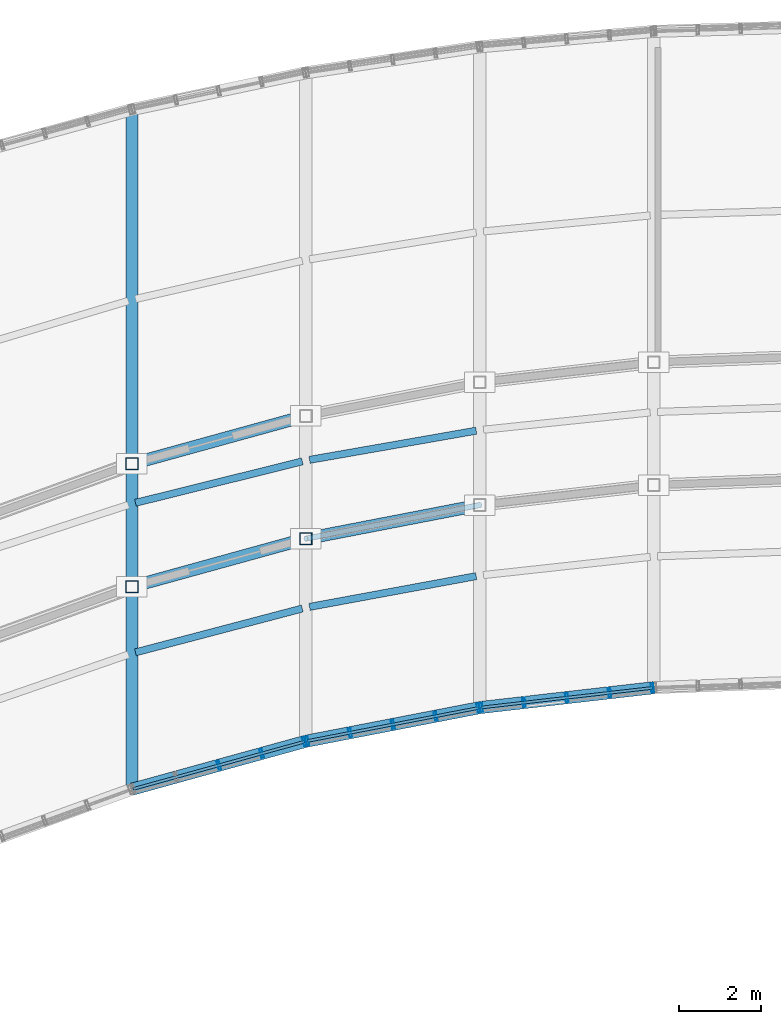
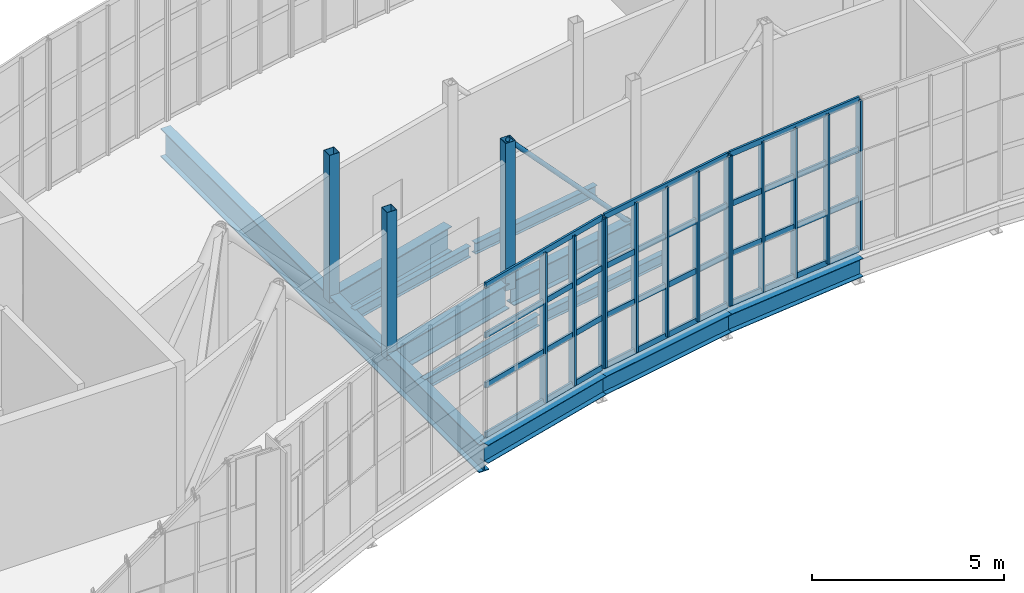
# One storey, part 20 of 46: 29 members, 11 beams, 3 elements without a shape of their own.
"""IFC4 building model written with IfcOpenShell, lengths in metres."""

from ifc_helpers import new_model, si_unit, direction, frame, origin, origin_2d, place, context, subcontext, project, spatial, hollow_rectangle, hollow_circle, i_section, extrude, material, material_profile, profile_set, type_object, element, aggregate, save


model = new_model("IFC4")

# Units and contexts
model_context = context("Model", 3, precision=1e-05, world=origin(), true_north=direction((0.0, 1.0)))
body_context = subcontext(model_context, "Body", "Model", "MODEL_VIEW")
ifc_project = project(units=[si_unit("LENGTHUNIT", "METRE"), si_unit("AREAUNIT", "SQUARE_METRE"), si_unit("VOLUMEUNIT", "CUBIC_METRE"), si_unit("PLANEANGLEUNIT", "RADIAN"), si_unit("MASSUNIT", "GRAM", prefix="KILO")], contexts=[model_context])

# Site, building, storey
site_placement = place(None, origin())
site = spatial("IfcSite", under=ifc_project, at=site_placement, CompositionType="ELEMENT")
building_placement = place(site_placement, origin())
building = spatial("IfcBuilding", under=site, at=building_placement, Name="Solvikara Media Centre", CompositionType="ELEMENT")
storey_placement = place(building_placement, frame((0.0, 0.0, 24.60009765625)))
storey = spatial("IfcBuildingStorey", under=building, at=storey_placement, Name="L05", CompositionType="ELEMENT", Elevation=24.60009765625)

# Beams
ifc_material_1 = material(Name="Steel S355JR", Category="steel")
ifc_material_profile_1 = material_profile(ifc_material_1, i_section(OverallWidth=0.300048828125, OverallDepth=0.89990234375, WebThickness=0.01611328125, FlangeThickness=0.028076171875, at=origin_2d()), Name="WF 900x300x16x28")
ifc_profile_set_1 = profile_set([ifc_material_profile_1], Name="Steel S355JR")
beam_type_1 = type_object("IfcBeamType", Name="BM-15", PredefinedType="BEAM", material=ifc_profile_set_1)
beam_1_placement = place(storey_placement, frame((85.0, 22.823974609375, -0.672119140625), z_axis=(0.0, 1.0, 0.0), x_axis=(-1.0, 0.0, 0.0)))
element("IfcBeam", 1, at=beam_1_placement, inside=storey, type_object=beam_type_1, Name="BG-L05-NS-02", PredefinedType="BEAM", context=body_context, shape_type="SweptSolid", body=[
    extrude(i_section(OverallWidth=0.300048828125, OverallDepth=0.89990234375, WebThickness=0.01611328125, FlangeThickness=0.028076171875, at=origin_2d()), origin(), (0.0, 0.0, 1.0), 16.60693359375),
])
ifc_material_profile_2 = material_profile(ifc_material_1, i_section(OverallWidth=0.300048828125, OverallDepth=0.800048828125, WebThickness=0.013916015625, FlangeThickness=0.02587890625, at=origin_2d()), Name="WF 800x300x14x26")
ifc_profile_set_2 = profile_set([ifc_material_profile_2], Name="Steel S355JR")
beam_type_2 = type_object("IfcBeamType", Name="BM-16", PredefinedType="BEAM", material=ifc_profile_set_2)
for number, where, z_axis, x_axis, name in (
    (2, (85.0869140625, 27.798095703125, -0.6220703125), (0.964019154447, 0.265832785522, 0.0), (-0.265832785522, 0.964019154447, 0.0), "B-L05-SPNS-02"),
    (3, (85.0869140625, 30.798095703125, -0.6220703125), (0.964019154447, 0.265832785522, 0.0), (-0.265832785522, 0.964019154447, 0.0), "B-L05-SPNN-02"),
):
    element("IfcBeam", number, at=place(storey_placement, frame(where, z_axis=z_axis, x_axis=x_axis)), inside=storey, type_object=beam_type_2, Name=name, PredefinedType="BEAM", context=body_context, shape_type="SweptSolid", body=[
        extrude(i_section(OverallWidth=0.300048828125, OverallDepth=0.800048828125, WebThickness=0.013916015625, FlangeThickness=0.02587890625, at=origin_2d()), origin(), (0.0, 0.0, 1.0), 4.228271484375),
    ])
beam_2_placement = place(storey_placement, frame((89.337890625, 28.962890625, -0.6220703125), z_axis=(0.981801087979, 0.189912147171, 0.0), x_axis=(-0.189912147171, 0.981801087979, 0.0)))
element("IfcBeam", 4, at=beam_2_placement, inside=storey, type_object=beam_type_2, Name="B-L05-SPNS-03", PredefinedType="BEAM", context=body_context, shape_type="SweptSolid", body=[
    extrude(i_section(OverallWidth=0.300048828125, OverallDepth=0.800048828125, WebThickness=0.013916015625, FlangeThickness=0.02587890625, at=origin_2d()), origin(), (0.0, 0.0, 1.0), 4.149658203125),
])
ifc_material_profile_3 = material_profile(ifc_material_1, i_section(OverallWidth=0.175048828125, OverallDepth=0.35009765625, WebThickness=0.007080078125, FlangeThickness=0.010986328125, at=origin_2d()), Name="WF 350x175x7x11")
ifc_profile_set_3 = profile_set([ifc_material_profile_3], Name="Steel S355JR")
beam_type_3 = type_object("IfcBeamType", Name="BM-22", PredefinedType="JOIST", material=ifc_profile_set_3)
beam_3_placement = place(storey_placement, frame((85.0869140625, 26.16796875, -0.397216796875), z_axis=(0.967112792727, 0.254347884096, 0.0), x_axis=(-0.254347884096, 0.967112792727, 0.0)))
element("IfcBeam", 5, at=beam_3_placement, inside=storey, type_object=beam_type_3, Name="BJ-L05-02-20", PredefinedType="JOIST", context=body_context, shape_type="SweptSolid", body=[
    extrude(i_section(OverallWidth=0.175048828125, OverallDepth=0.35009765625, WebThickness=0.007080078125, FlangeThickness=0.010986328125, at=origin_2d()), origin(), (0.0, 0.0, 1.0), 4.21484375),
])
beam_4_placement = place(storey_placement, frame((85.0869140625, 29.821044921875, -0.397216796875), z_axis=(0.970483457867, 0.241167696855, 0.0), x_axis=(-0.241167696855, 0.970483457867, 0.0)))
element("IfcBeam", 6, at=beam_4_placement, inside=storey, type_object=beam_type_3, Name="BJ-L05-02-42", PredefinedType="JOIST", context=body_context, shape_type="SweptSolid", body=[
    extrude(i_section(OverallWidth=0.175048828125, OverallDepth=0.35009765625, WebThickness=0.007080078125, FlangeThickness=0.010986328125, at=origin_2d()), origin(), (0.0, 0.0, 1.0), 4.2001953125),
])
beam_5_placement = place(storey_placement, frame((89.339111328125, 27.279052734375, -0.397216796875), z_axis=(0.983371814175, 0.181603620797, 0.0), x_axis=(-0.181603620797, 0.983371814175, 0.0)))
element("IfcBeam", 7, at=beam_5_placement, inside=storey, type_object=beam_type_3, Name="BJ-L05-03-20", PredefinedType="JOIST", context=body_context, shape_type="SweptSolid", body=[
    extrude(i_section(OverallWidth=0.175048828125, OverallDepth=0.35009765625, WebThickness=0.007080078125, FlangeThickness=0.010986328125, at=origin_2d()), origin(), (0.0, 0.0, 1.0), 4.140625),
])
beam_6_placement = place(storey_placement, frame((89.339111328125, 30.87109375, -0.397216796875), z_axis=(0.985016925608, 0.172457694134, 0.0), x_axis=(-0.172457694134, 0.985016925608, 0.0)))
element("IfcBeam", 8, at=beam_6_placement, inside=storey, type_object=beam_type_3, Name="BJ-L05-03-42", PredefinedType="JOIST", context=body_context, shape_type="SweptSolid", body=[
    extrude(i_section(OverallWidth=0.175048828125, OverallDepth=0.35009765625, WebThickness=0.007080078125, FlangeThickness=0.010986328125, at=origin_2d()), origin(), (0.0, 0.0, 1.0), 4.1337890625),
])
ifc_material_profile_4 = material_profile(ifc_material_1, i_section(OverallWidth=0.300048828125, OverallDepth=0.58203125, WebThickness=0.011962890625, FlangeThickness=0.01708984375, at=origin_2d()), Name="WF 582x300x12x17")
ifc_profile_set_4 = profile_set([ifc_material_profile_4], Name="Steel S355JR")
beam_type_4 = type_object("IfcBeamType", Name="BM-31", PredefinedType="SPANDREL", material=ifc_profile_set_4)
beam_7_placement = place(storey_placement, frame((85.0, 22.823974609375, -0.51318359375), z_axis=(0.964009749544, 0.265866889221, 0.0), x_axis=(-0.265866889221, 0.964009749544, 0.0)))
element("IfcBeam", 9, at=beam_7_placement, inside=storey, type_object=beam_type_4, Name="B-L05-SARC-02", PredefinedType="SPANDREL", context=body_context, shape_type="SweptSolid", body=[
    extrude(i_section(OverallWidth=0.300048828125, OverallDepth=0.58203125, WebThickness=0.011962890625, FlangeThickness=0.01708984375, at=origin_2d()), origin(), (0.0, 0.0, 1.0), 4.40869140625),
])
beam_8_placement = place(storey_placement, frame((89.25, 23.99609375, -0.51318359375), z_axis=(0.981803941213, 0.189897396029, 0.0), x_axis=(-0.189897396029, 0.981803941213, 0.0)))
element("IfcBeam", 10, at=beam_8_placement, inside=storey, type_object=beam_type_4, Name="B-L05-SARC-03", PredefinedType="SPANDREL", context=body_context, shape_type="SweptSolid", body=[
    extrude(i_section(OverallWidth=0.300048828125, OverallDepth=0.58203125, WebThickness=0.011962890625, FlangeThickness=0.01708984375, at=origin_2d()), origin(), (0.0, 0.0, 1.0), 4.328857421875),
])
beam_9_placement = place(storey_placement, frame((93.5, 24.818115234375, -0.51318359375), z_axis=(0.993503575407, 0.113800903571, 0.0), x_axis=(-0.113800903571, 0.993503575407, 0.0)))
element("IfcBeam", 11, at=beam_9_placement, inside=storey, type_object=beam_type_4, Name="B-L05-SARC-04", PredefinedType="SPANDREL", context=body_context, shape_type="SweptSolid", body=[
    extrude(i_section(OverallWidth=0.300048828125, OverallDepth=0.58203125, WebThickness=0.011962890625, FlangeThickness=0.01708984375, at=origin_2d()), origin(), (0.0, 0.0, 1.0), 4.27783203125),
])

# Members
ifc_material_profile_5 = material_profile(ifc_material_1, hollow_circle(Radius=0.06982421875, WallThickness=0.00634765625, at=origin_2d()), Name="CHS 139.7x6.3")
ifc_profile_set_5 = profile_set([ifc_material_profile_5], Name="Steel S355JR")
member_type_1 = type_object("IfcMemberType", Name="MB-08", PredefinedType="BRACE", material=ifc_profile_set_5)
member_1_placement = place(storey_placement, frame((89.25, 28.946044921875, 4.25), z_axis=(0.665118374844, 0.128645080888, -0.735573239459), x_axis=(-0.189897396029, 0.981803941213, 0.0)))
element("IfcMember", 12, at=member_1_placement, inside=storey, type_object=member_type_1, Name="WTR-L05-S-DB03", PredefinedType="BRACE", context=body_context, shape_type="SweptSolid", body=[
    extrude(hollow_circle(Radius=0.06982421875, WallThickness=0.00634765625, at=origin_2d()), origin(), (0.0, 0.0, 1.0), 6.389892578125),
])
ifc_material_profile_6 = material_profile(ifc_material_1, hollow_rectangle(XDim=0.300048828125, YDim=0.300048828125, WallThickness=0.012451171875, at=origin_2d()), Name="RHS 300x300x12.5")
ifc_profile_set_6 = profile_set([ifc_material_profile_6], Name="Steel S355JR")
member_type_2 = type_object("IfcMemberType", Name="MB-11", PredefinedType="CHORD", material=ifc_profile_set_6)
for number, where, z_axis, x_axis, name in (
    (13, (85.0, 27.77392578125, -0.4501953125), (0.0, 0.0, 1.0), (1.0, 0.0, 0.0), "WTR-L05-S-V02"),
    (14, (89.25, 28.946044921875, -0.4501953125), (0.0, 0.0, 1.0), (1.0, 0.0, 0.0), "WTR-L05-S-V03"),
    (15, (85.0, 30.77392578125, -0.4501953125), (0.0, 0.0, 1.0), (1.0, 0.0, 0.0), "WTR-L05-N-V02"),
):
    element("IfcMember", number, at=place(storey_placement, frame(where, z_axis=z_axis, x_axis=x_axis)), inside=storey, type_object=member_type_2, Name=name, PredefinedType="CHORD", context=body_context, shape_type="SweptSolid", body=[
        extrude(hollow_rectangle(XDim=0.300048828125, YDim=0.300048828125, WallThickness=0.012451171875, at=origin_2d()), origin(), (0.0, 0.0, 1.0), 4.7001953125),
    ])

# Curtain wall, members
ifc_material_2 = material(Name="Anodised aluminium EN AW-6063", Category="aluminium")
curtain_wall_type = type_object("IfcCurtainWallType", Name="CW-01", PredefinedType="NOTDEFINED", material=ifc_material_2)
curtain_wall_1_placement = place(storey_placement, origin())
curtain_wall_1 = element("IfcCurtainWall", 16, at=curtain_wall_1_placement, inside=storey, type_object=curtain_wall_type, Name="CW-L05-SARC-02", PredefinedType="NOTDEFINED")
ifc_material_profile_7 = material_profile(ifc_material_2, hollow_rectangle(XDim=0.06494140625, YDim=0.219970703125, WallThickness=0.00390625, at=origin_2d()), Name="ALU-M 65x220x4")
ifc_profile_set_7 = profile_set([ifc_material_profile_7], Name="Anodised aluminium EN AW-6063")
member_type_3 = type_object("IfcMemberType", Name="MF-01", PredefinedType="MULLION", material=ifc_profile_set_7)
member_2_placement = place(storey_placement, frame((87.125, 23.409912109375, 0.02001953125), z_axis=(0.0, 0.0, 1.0), x_axis=(0.96397015682, 0.26601040724, 0.0)))
member_2 = element("IfcMember", 17, at=member_2_placement, type_object=member_type_3, Name="CW-L05-SARC-02-M02", PredefinedType="MULLION", context=body_context, shape_type="SweptSolid", body=[
    extrude(hollow_rectangle(XDim=0.06494140625, YDim=0.219970703125, WallThickness=0.00390625, at=origin_2d()), origin(), (0.0, 0.0, 1.0), 4.759765625),
])
member_3_placement = place(storey_placement, frame((88.1708984375, 23.698974609375, 0.02001953125), z_axis=(0.0, 0.0, 1.0), x_axis=(0.96397015682, 0.26601040724, 0.0)))
member_3 = element("IfcMember", 18, at=member_3_placement, type_object=member_type_3, Name="CW-L05-SARC-02-M03", PredefinedType="MULLION", context=body_context, shape_type="SweptSolid", body=[
    extrude(hollow_rectangle(XDim=0.06494140625, YDim=0.219970703125, WallThickness=0.00390625, at=origin_2d()), origin(), (0.0, 0.0, 1.0), 4.759765625),
])
member_4_placement = place(storey_placement, frame((89.216064453125, 23.987060546875, 0.02001953125), z_axis=(0.0, 0.0, 1.0), x_axis=(0.96397015682, 0.26601040724, 0.0)))
member_4 = element("IfcMember", 19, at=member_4_placement, type_object=member_type_3, Name="CW-L05-SARC-02-M04", PredefinedType="MULLION", context=body_context, shape_type="SweptSolid", body=[
    extrude(hollow_rectangle(XDim=0.06494140625, YDim=0.219970703125, WallThickness=0.00390625, at=origin_2d()), origin(), (0.0, 0.0, 1.0), 4.759765625),
])

curtain_wall_2_placement = place(storey_placement, origin())
curtain_wall_2 = element("IfcCurtainWall", 20, at=curtain_wall_2_placement, inside=storey, type_object=curtain_wall_type, Name="CW-L05-SARC-03", PredefinedType="NOTDEFINED")
member_5_placement = place(storey_placement, frame((89.283935546875, 24.0029296875, 0.02001953125), z_axis=(0.0, 0.0, 1.0), x_axis=(0.981843017659, 0.189695252114, 0.0)))
member_5 = element("IfcMember", 21, at=member_5_placement, type_object=member_type_3, Name="CW-L05-SARC-03-M00", PredefinedType="MULLION", context=body_context, shape_type="SweptSolid", body=[
    extrude(hollow_rectangle(XDim=0.06494140625, YDim=0.219970703125, WallThickness=0.00390625, at=origin_2d()), origin(), (0.0, 0.0, 1.0), 4.759765625),
])
member_6_placement = place(storey_placement, frame((90.330078125, 24.205078125, 0.02001953125), z_axis=(0.0, 0.0, 1.0), x_axis=(0.981843017659, 0.189695252114, 0.0)))
member_6 = element("IfcMember", 22, at=member_6_placement, type_object=member_type_3, Name="CW-L05-SARC-03-M01", PredefinedType="MULLION", context=body_context, shape_type="SweptSolid", body=[
    extrude(hollow_rectangle(XDim=0.06494140625, YDim=0.219970703125, WallThickness=0.00390625, at=origin_2d()), origin(), (0.0, 0.0, 1.0), 4.759765625),
])
member_7_placement = place(storey_placement, frame((91.375, 24.406982421875, 0.02001953125), z_axis=(0.0, 0.0, 1.0), x_axis=(0.981843017659, 0.189695252114, 0.0)))
member_7 = element("IfcMember", 23, at=member_7_placement, type_object=member_type_3, Name="CW-L05-SARC-03-M02", PredefinedType="MULLION", context=body_context, shape_type="SweptSolid", body=[
    extrude(hollow_rectangle(XDim=0.06494140625, YDim=0.219970703125, WallThickness=0.00390625, at=origin_2d()), origin(), (0.0, 0.0, 1.0), 4.759765625),
])
member_8_placement = place(storey_placement, frame((92.4208984375, 24.60888671875, 0.02001953125), z_axis=(0.0, 0.0, 1.0), x_axis=(0.981843017659, 0.189695252114, 0.0)))
member_8 = element("IfcMember", 24, at=member_8_placement, type_object=member_type_3, Name="CW-L05-SARC-03-M03", PredefinedType="MULLION", context=body_context, shape_type="SweptSolid", body=[
    extrude(hollow_rectangle(XDim=0.06494140625, YDim=0.219970703125, WallThickness=0.00390625, at=origin_2d()), origin(), (0.0, 0.0, 1.0), 4.759765625),
])
member_9_placement = place(storey_placement, frame((93.466064453125, 24.81103515625, 0.02001953125), z_axis=(0.0, 0.0, 1.0), x_axis=(0.981843017659, 0.189695252114, 0.0)))
member_9 = element("IfcMember", 25, at=member_9_placement, type_object=member_type_3, Name="CW-L05-SARC-03-M04", PredefinedType="MULLION", context=body_context, shape_type="SweptSolid", body=[
    extrude(hollow_rectangle(XDim=0.06494140625, YDim=0.219970703125, WallThickness=0.00390625, at=origin_2d()), origin(), (0.0, 0.0, 1.0), 4.759765625),
])

curtain_wall_3_placement = place(storey_placement, origin())
curtain_wall_3 = element("IfcCurtainWall", 26, at=curtain_wall_3_placement, inside=storey, type_object=curtain_wall_type, Name="CW-L05-SARC-04", PredefinedType="NOTDEFINED")
member_10_placement = place(storey_placement, frame((93.534912109375, 24.822021484375, 0.02001953125), z_axis=(0.0, 0.0, 1.0), x_axis=(0.993498545066, 0.113844810828, 0.0)))
member_10 = element("IfcMember", 27, at=member_10_placement, type_object=member_type_3, Name="CW-L05-SARC-04-M00", PredefinedType="MULLION", context=body_context, shape_type="SweptSolid", body=[
    extrude(hollow_rectangle(XDim=0.06494140625, YDim=0.219970703125, WallThickness=0.00390625, at=origin_2d()), origin(), (0.0, 0.0, 1.0), 4.759765625),
])
member_11_placement = place(storey_placement, frame((94.580078125, 24.94189453125, 0.02001953125), z_axis=(0.0, 0.0, 1.0), x_axis=(0.993498545066, 0.113844810828, 0.0)))
member_11 = element("IfcMember", 28, at=member_11_placement, type_object=member_type_3, Name="CW-L05-SARC-04-M01", PredefinedType="MULLION", context=body_context, shape_type="SweptSolid", body=[
    extrude(hollow_rectangle(XDim=0.06494140625, YDim=0.219970703125, WallThickness=0.00390625, at=origin_2d()), origin(), (0.0, 0.0, 1.0), 4.759765625),
])
member_12_placement = place(storey_placement, frame((95.625, 25.06201171875, 0.02001953125), z_axis=(0.0, 0.0, 1.0), x_axis=(0.993498545066, 0.113844810828, 0.0)))
member_12 = element("IfcMember", 29, at=member_12_placement, type_object=member_type_3, Name="CW-L05-SARC-04-M02", PredefinedType="MULLION", context=body_context, shape_type="SweptSolid", body=[
    extrude(hollow_rectangle(XDim=0.06494140625, YDim=0.219970703125, WallThickness=0.00390625, at=origin_2d()), origin(), (0.0, 0.0, 1.0), 4.759765625),
])
member_13_placement = place(storey_placement, frame((96.669921875, 25.180908203125, 0.02001953125), z_axis=(0.0, 0.0, 1.0), x_axis=(0.993498545066, 0.113844810828, 0.0)))
member_13 = element("IfcMember", 30, at=member_13_placement, type_object=member_type_3, Name="CW-L05-SARC-04-M03", PredefinedType="MULLION", context=body_context, shape_type="SweptSolid", body=[
    extrude(hollow_rectangle(XDim=0.06494140625, YDim=0.219970703125, WallThickness=0.00390625, at=origin_2d()), origin(), (0.0, 0.0, 1.0), 4.759765625),
])
member_14_placement = place(storey_placement, frame((97.715087890625, 25.301025390625, 0.02001953125), z_axis=(0.0, 0.0, 1.0), x_axis=(0.993498545066, 0.113844810828, 0.0)))
member_14 = element("IfcMember", 31, at=member_14_placement, type_object=member_type_3, Name="CW-L05-SARC-04-M04", PredefinedType="MULLION", context=body_context, shape_type="SweptSolid", body=[
    extrude(hollow_rectangle(XDim=0.06494140625, YDim=0.219970703125, WallThickness=0.00390625, at=origin_2d()), origin(), (0.0, 0.0, 1.0), 4.759765625),
])

# Member
ifc_material_profile_8 = material_profile(ifc_material_2, hollow_rectangle(XDim=0.06494140625, YDim=0.179931640625, WallThickness=0.00341796875, at=origin_2d()), Name="ALU-T 65x180x3.5")
ifc_profile_set_8 = profile_set([ifc_material_profile_8], Name="Anodised aluminium EN AW-6063")
member_type_4 = type_object("IfcMemberType", Name="MF-07", PredefinedType="USERDEFINED", material=ifc_profile_set_8)
member_15_placement = place(storey_placement, frame((85.033935546875, 22.8330078125, 0.02001953125), z_axis=(0.963971224803, 0.266006537049, 0.0), x_axis=(-0.266006537049, 0.963971224803, 0.0)))
member_15 = element("IfcMember", 32, at=member_15_placement, type_object=member_type_4, Name="CW-L05-SARC-02-T00", ObjectType="TRANSOM", PredefinedType="USERDEFINED", context=body_context, shape_type="SweptSolid", body=[
    extrude(hollow_rectangle(XDim=0.06494140625, YDim=0.179931640625, WallThickness=0.00341796875, at=origin_2d()), origin(), (0.0, 0.0, 1.0), 4.33837890625),
])

member_16_placement = place(storey_placement, frame((85.033935546875, 22.8330078125, 1.60693359375), z_axis=(0.963971224803, 0.266006537049, 0.0), x_axis=(-0.266006537049, 0.963971224803, 0.0)))
member_16 = element("IfcMember", 33, at=member_16_placement, type_object=member_type_4, Name="CW-L05-SARC-02-T01", ObjectType="TRANSOM", PredefinedType="USERDEFINED", context=body_context, shape_type="SweptSolid", body=[
    extrude(hollow_rectangle(XDim=0.06494140625, YDim=0.179931640625, WallThickness=0.00341796875, at=origin_2d()), origin(), (0.0, 0.0, 1.0), 4.33837890625),
])

member_17_placement = place(storey_placement, frame((85.033935546875, 22.8330078125, 3.19287109375), z_axis=(0.963971224803, 0.266006537049, 0.0), x_axis=(-0.266006537049, 0.963971224803, 0.0)))
member_17 = element("IfcMember", 34, at=member_17_placement, type_object=member_type_4, Name="CW-L05-SARC-02-T02", ObjectType="TRANSOM", PredefinedType="USERDEFINED", context=body_context, shape_type="SweptSolid", body=[
    extrude(hollow_rectangle(XDim=0.06494140625, YDim=0.179931640625, WallThickness=0.00341796875, at=origin_2d()), origin(), (0.0, 0.0, 1.0), 4.33837890625),
])

member_18_placement = place(storey_placement, frame((85.033935546875, 22.8330078125, 4.77978515625), z_axis=(0.963971224803, 0.266006537049, 0.0), x_axis=(-0.266006537049, 0.963971224803, 0.0)))
member_18 = element("IfcMember", 35, at=member_18_placement, type_object=member_type_4, Name="CW-L05-SARC-02-T03", ObjectType="TRANSOM", PredefinedType="USERDEFINED", context=body_context, shape_type="SweptSolid", body=[
    extrude(hollow_rectangle(XDim=0.06494140625, YDim=0.179931640625, WallThickness=0.00341796875, at=origin_2d()), origin(), (0.0, 0.0, 1.0), 4.33837890625),
])

aggregate(curtain_wall_1, [member_2, member_3, member_4, member_15, member_16, member_17, member_18])

member_19_placement = place(storey_placement, frame((89.283935546875, 24.0029296875, 0.02001953125), z_axis=(0.981838442996, 0.189718928565, 0.0), x_axis=(-0.189718928565, 0.981838442996, 0.0)))
member_19 = element("IfcMember", 36, at=member_19_placement, type_object=member_type_4, Name="CW-L05-SARC-03-T00", ObjectType="TRANSOM", PredefinedType="USERDEFINED", context=body_context, shape_type="SweptSolid", body=[
    extrude(hollow_rectangle(XDim=0.06494140625, YDim=0.179931640625, WallThickness=0.00341796875, at=origin_2d()), origin(), (0.0, 0.0, 1.0), 4.259521484375),
])

member_20_placement = place(storey_placement, frame((89.283935546875, 24.0029296875, 1.60693359375), z_axis=(0.981838442996, 0.189718928565, 0.0), x_axis=(-0.189718928565, 0.981838442996, 0.0)))
member_20 = element("IfcMember", 37, at=member_20_placement, type_object=member_type_4, Name="CW-L05-SARC-03-T01", ObjectType="TRANSOM", PredefinedType="USERDEFINED", context=body_context, shape_type="SweptSolid", body=[
    extrude(hollow_rectangle(XDim=0.06494140625, YDim=0.179931640625, WallThickness=0.00341796875, at=origin_2d()), origin(), (0.0, 0.0, 1.0), 4.259521484375),
])

member_21_placement = place(storey_placement, frame((89.283935546875, 24.0029296875, 3.19287109375), z_axis=(0.981838442996, 0.189718928565, 0.0), x_axis=(-0.189718928565, 0.981838442996, 0.0)))
member_21 = element("IfcMember", 38, at=member_21_placement, type_object=member_type_4, Name="CW-L05-SARC-03-T02", ObjectType="TRANSOM", PredefinedType="USERDEFINED", context=body_context, shape_type="SweptSolid", body=[
    extrude(hollow_rectangle(XDim=0.06494140625, YDim=0.179931640625, WallThickness=0.00341796875, at=origin_2d()), origin(), (0.0, 0.0, 1.0), 4.259521484375),
])

member_22_placement = place(storey_placement, frame((89.283935546875, 24.0029296875, 4.77978515625), z_axis=(0.981838442996, 0.189718928565, 0.0), x_axis=(-0.189718928565, 0.981838442996, 0.0)))
member_22 = element("IfcMember", 39, at=member_22_placement, type_object=member_type_4, Name="CW-L05-SARC-03-T03", ObjectType="TRANSOM", PredefinedType="USERDEFINED", context=body_context, shape_type="SweptSolid", body=[
    extrude(hollow_rectangle(XDim=0.06494140625, YDim=0.179931640625, WallThickness=0.00341796875, at=origin_2d()), origin(), (0.0, 0.0, 1.0), 4.259521484375),
])

aggregate(curtain_wall_2, [member_5, member_6, member_7, member_8, member_9, member_19, member_20, member_21, member_22])

member_23_placement = place(storey_placement, frame((93.534912109375, 24.822021484375, 0.02001953125), z_axis=(0.993498589361, 0.113844424269, 0.0), x_axis=(-0.113844424269, 0.993498589361, 0.0)))
member_23 = element("IfcMember", 40, at=member_23_placement, type_object=member_type_4, Name="CW-L05-SARC-04-T00", ObjectType="TRANSOM", PredefinedType="USERDEFINED", context=body_context, shape_type="SweptSolid", body=[
    extrude(hollow_rectangle(XDim=0.06494140625, YDim=0.179931640625, WallThickness=0.00341796875, at=origin_2d()), origin(), (0.0, 0.0, 1.0), 4.20751953125),
])

member_24_placement = place(storey_placement, frame((93.534912109375, 24.822021484375, 1.60693359375), z_axis=(0.993498589361, 0.113844424269, 0.0), x_axis=(-0.113844424269, 0.993498589361, 0.0)))
member_24 = element("IfcMember", 41, at=member_24_placement, type_object=member_type_4, Name="CW-L05-SARC-04-T01", ObjectType="TRANSOM", PredefinedType="USERDEFINED", context=body_context, shape_type="SweptSolid", body=[
    extrude(hollow_rectangle(XDim=0.06494140625, YDim=0.179931640625, WallThickness=0.00341796875, at=origin_2d()), origin(), (0.0, 0.0, 1.0), 4.20751953125),
])

member_25_placement = place(storey_placement, frame((93.534912109375, 24.822021484375, 3.19287109375), z_axis=(0.993498589361, 0.113844424269, 0.0), x_axis=(-0.113844424269, 0.993498589361, 0.0)))
member_25 = element("IfcMember", 42, at=member_25_placement, type_object=member_type_4, Name="CW-L05-SARC-04-T02", ObjectType="TRANSOM", PredefinedType="USERDEFINED", context=body_context, shape_type="SweptSolid", body=[
    extrude(hollow_rectangle(XDim=0.06494140625, YDim=0.179931640625, WallThickness=0.00341796875, at=origin_2d()), origin(), (0.0, 0.0, 1.0), 4.20751953125),
])

member_26_placement = place(storey_placement, frame((93.534912109375, 24.822021484375, 4.77978515625), z_axis=(0.993498589361, 0.113844424269, 0.0), x_axis=(-0.113844424269, 0.993498589361, 0.0)))
member_26 = element("IfcMember", 43, at=member_26_placement, type_object=member_type_4, Name="CW-L05-SARC-04-T03", ObjectType="TRANSOM", PredefinedType="USERDEFINED", context=body_context, shape_type="SweptSolid", body=[
    extrude(hollow_rectangle(XDim=0.06494140625, YDim=0.179931640625, WallThickness=0.00341796875, at=origin_2d()), origin(), (0.0, 0.0, 1.0), 4.20751953125),
])

aggregate(curtain_wall_3, [member_10, member_11, member_12, member_13, member_14, member_23, member_24, member_25, member_26])

save(model, "model.ifc")
